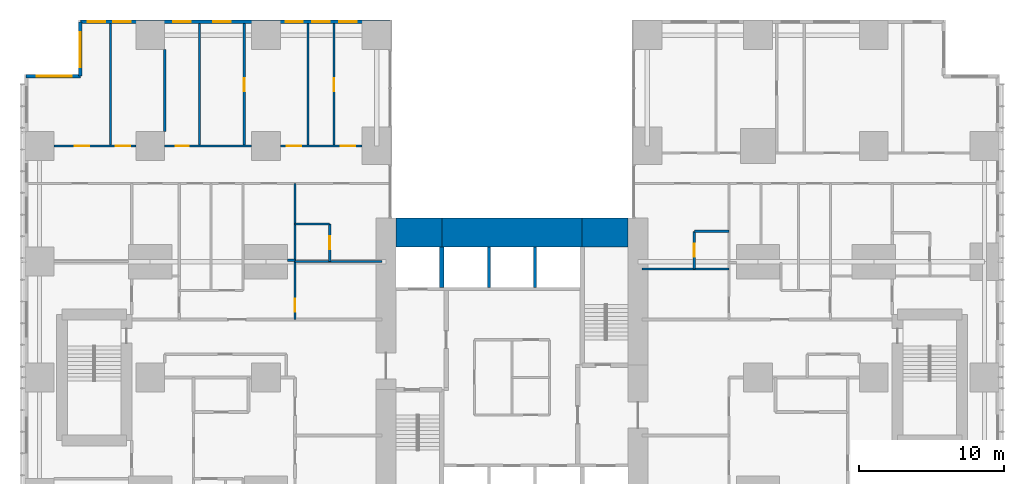
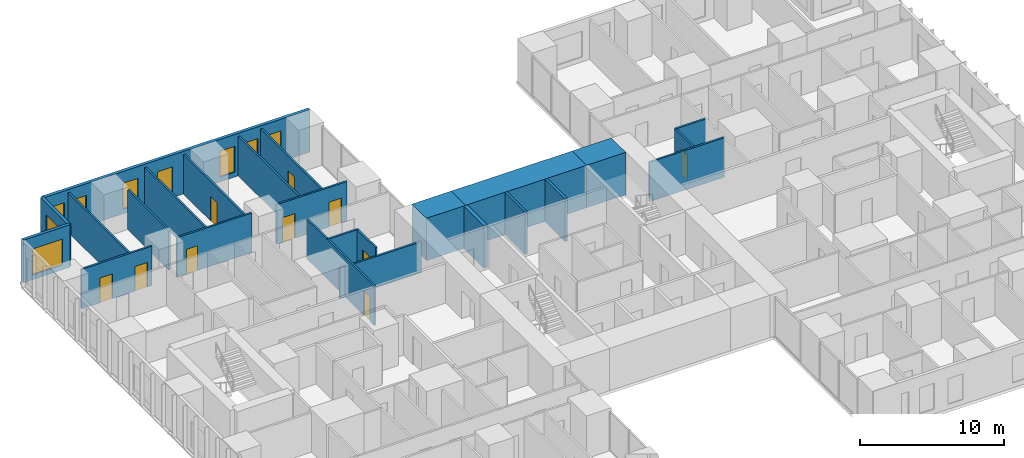
# One storey, part 17 of 20: 26 walls, 10 doors, 9 windows, 19 openings.
"""IFC4 building model written with IfcOpenShell, lengths in metres."""

from ifc_helpers import new_model, si_unit, direction, frame, frame_2d, origin, place, context, subcontext, project, spatial, rectangle, extrude, material, layer, layer_set, type_object, element, fill, save


model = new_model("IFC4")

# Units and contexts
model_context = context("Model", 3, precision=1e-05, world=origin(), true_north=direction((0.0, 1.0)))
body_context = subcontext(model_context, "Body", "Model", "MODEL_VIEW")
ifc_project = project(units=[si_unit("LENGTHUNIT", "METRE"), si_unit("AREAUNIT", "SQUARE_METRE"), si_unit("VOLUMEUNIT", "CUBIC_METRE"), si_unit("PLANEANGLEUNIT", "RADIAN"), si_unit("MASSUNIT", "GRAM", prefix="KILO")], contexts=[model_context])

# Site, building, storey
site_placement = place(None, origin())
site = spatial("IfcSite", under=ifc_project, at=site_placement, CompositionType="ELEMENT")
building_placement = place(site_placement, origin())
building = spatial("IfcBuilding", under=site, at=building_placement, Name="Cleftline Residences", CompositionType="ELEMENT")
storey_placement = place(building_placement, frame((0.0, 0.0, 103.39990234375)))
storey = spatial("IfcBuildingStorey", under=building, at=storey_placement, Name="L26", CompositionType="ELEMENT", Elevation=103.39990234375)

# Walls
ifc_material_1 = material(Name="Concrete B70", Category="concrete")
ifc_layer_1 = layer(ifc_material_1, 2.0)
ifc_layer_set_1 = layer_set([ifc_layer_1], Name="CORE WALL 2000")
wall_type_1 = type_object("IfcWallType", Name="CORE WALL 2000", PredefinedType="SHEAR", material=ifc_layer_set_1)
wall_1_placement = place(storey_placement, frame((25.0, 34.0, 0.0), z_axis=(0.0, 0.0, 1.0), x_axis=(1.0, 0.0, 0.0)))
element("IfcWall", 1, at=wall_1_placement, inside=storey, type_object=wall_type_1, Name="Core wall N1", PredefinedType="SHEAR", context=body_context, shape_type="SweptSolid", body=[
    extrude(rectangle(XDim=3.14990234375, YDim=2.0, at=frame_2d((1.574951171875, 0.0))), origin(), (0.0, 0.0, 1.0), 3.60009765625),
])
wall_2_placement = place(storey_placement, frame((28.14990234375, 34.0, 0.0), z_axis=(0.0, 0.0, 1.0), x_axis=(1.0, 0.0, 0.0)))
element("IfcWall", 2, at=wall_2_placement, inside=storey, type_object=wall_type_1, Name="Core wall N2", PredefinedType="SHEAR", context=body_context, shape_type="SweptSolid", body=[
    extrude(rectangle(XDim=9.7001953125, YDim=2.0, at=frame_2d((4.85009765625, 0.0))), origin(), (0.0, 0.0, 1.0), 3.60009765625),
])
wall_3_placement = place(storey_placement, frame((37.85009765625, 34.0, 0.0), z_axis=(0.0, 0.0, 1.0), x_axis=(1.0, 0.0, 0.0)))
element("IfcWall", 3, at=wall_3_placement, inside=storey, type_object=wall_type_1, Name="Core wall N3", PredefinedType="SHEAR", context=body_context, shape_type="SweptSolid", body=[
    extrude(rectangle(XDim=3.14990234375, YDim=2.0, at=frame_2d((1.574951171875, 0.0))), origin(), (0.0, 0.0, 1.0), 3.60009765625),
])
ifc_material_2 = material(Name="Concrete B70", Category="concrete")
ifc_layer_2 = layer(ifc_material_2, 0.300048828125)
ifc_layer_set_2 = layer_set([ifc_layer_2], Name="CORE WALL 300")
wall_type_2 = type_object("IfcWallType", Name="CORE WALL 300", PredefinedType="SHEAR", material=ifc_layer_set_2)
wall_4_placement = place(storey_placement, frame((28.14990234375, 30.199951171875, 0.0), z_axis=(0.0, 0.0, 1.0), x_axis=(0.0, 1.0, 0.0)))
element("IfcWall", 4, at=wall_4_placement, inside=storey, type_object=wall_type_2, Name="Lift shaft wall", PredefinedType="SHEAR", context=body_context, shape_type="SweptSolid", body=[
    extrude(rectangle(XDim=2.800048828125, YDim=0.300048828125, at=frame_2d((1.39990234375, 0.0))), origin(), (0.0, 0.0, 1.0), 3.60009765625),
])

# Wall, openings, windows
ifc_material_3 = material(Name="Rendered reinforced concrete blockwork", Category="masonry")
ifc_layer_3 = layer(ifc_material_3, 0.25)
ifc_layer_set_3 = layer_set([ifc_layer_3], Name="EXTERNAL WALL 250")
wall_type_3 = type_object("IfcWallType", Name="EXTERNAL WALL 250", PredefinedType="SOLIDWALL", material=ifc_layer_set_3)
wall_5_placement = place(storey_placement, frame((24.574951171875, 48.574951171875, 0.0), z_axis=(0.0, 0.0, 1.0), x_axis=(-1.0, 0.0, 0.0)))
wall_5 = element("IfcWall", 5, at=wall_5_placement, inside=storey, type_object=wall_type_3, Name="External wall", PredefinedType="SOLIDWALL", context=body_context, shape_type="SweptSolid", body=[
    extrude(rectangle(XDim=21.39990234375, YDim=0.25, at=frame_2d((10.699951171875, 0.0))), origin(), (0.0, 0.0, 1.0), 3.60009765625),
])
opening_1_placement = place(wall_5_placement, frame((2.300048828125, 0.0, 0.39990234375)))
opening_1 = element("IfcOpeningElement", 6, at=opening_1_placement, cuts=wall_5, Name="Opening W11", PredefinedType="OPENING", context=body_context, shape_type="SweptSolid", body=[
    extrude(rectangle(XDim=1.199951171875, YDim=2.199951171875, at=frame_2d((0.60009765625, 1.10009765625))), frame((0.0, 0.135009765625, 0.0), z_axis=(0.0, -1.0, 0.0), x_axis=(1.0, 0.0, 0.0)), (0.0, 0.0, 1.0), 0.27001953125),
])
opening_2_placement = place(wall_5_placement, frame((4.175048828125, 0.0, 0.39990234375)))
opening_2 = element("IfcOpeningElement", 7, at=opening_2_placement, cuts=wall_5, Name="Opening W11", PredefinedType="OPENING", context=body_context, shape_type="SweptSolid", body=[
    extrude(rectangle(XDim=1.199951171875, YDim=2.199951171875, at=frame_2d((0.60009765625, 1.10009765625))), frame((0.0, 0.135009765625, 0.0), z_axis=(0.0, -1.0, 0.0), x_axis=(1.0, 0.0, 0.0)), (0.0, 0.0, 1.0), 0.27001953125),
])
opening_3_placement = place(wall_5_placement, frame((6.02490234375, 0.0, 0.39990234375)))
opening_3 = element("IfcOpeningElement", 8, at=opening_3_placement, cuts=wall_5, Name="Opening W11", PredefinedType="OPENING", context=body_context, shape_type="SweptSolid", body=[
    extrude(rectangle(XDim=1.199951171875, YDim=2.199951171875, at=frame_2d((0.60009765625, 1.10009765625))), frame((0.0, 0.135009765625, 0.0), z_axis=(0.0, -1.0, 0.0), x_axis=(1.0, 0.0, 0.0)), (0.0, 0.0, 1.0), 0.27001953125),
])
opening_4_placement = place(wall_5_placement, frame((11.02490234375, 0.0, 0.39990234375)))
opening_4 = element("IfcOpeningElement", 9, at=opening_4_placement, cuts=wall_5, Name="Opening W11", PredefinedType="OPENING", context=body_context, shape_type="SweptSolid", body=[
    extrude(rectangle(XDim=1.199951171875, YDim=2.199951171875, at=frame_2d((0.60009765625, 1.10009765625))), frame((0.0, 0.135009765625, 0.0), z_axis=(0.0, -1.0, 0.0), x_axis=(1.0, 0.0, 0.0)), (0.0, 0.0, 1.0), 0.27001953125),
])
opening_5_placement = place(wall_5_placement, frame((13.77490234375, 0.0, 0.39990234375)))
opening_5 = element("IfcOpeningElement", 10, at=opening_5_placement, cuts=wall_5, Name="Opening W11", PredefinedType="OPENING", context=body_context, shape_type="SweptSolid", body=[
    extrude(rectangle(XDim=1.199951171875, YDim=2.199951171875, at=frame_2d((0.60009765625, 1.10009765625))), frame((0.0, 0.135009765625, 0.0), z_axis=(0.0, -1.0, 0.0), x_axis=(1.0, 0.0, 0.0)), (0.0, 0.0, 1.0), 0.27001953125),
])
opening_6_placement = place(wall_5_placement, frame((17.925048828125, 0.0, 0.39990234375)))
opening_6 = element("IfcOpeningElement", 11, at=opening_6_placement, cuts=wall_5, Name="Opening W11", PredefinedType="OPENING", context=body_context, shape_type="SweptSolid", body=[
    extrude(rectangle(XDim=1.199951171875, YDim=2.199951171875, at=frame_2d((0.60009765625, 1.10009765625))), frame((0.0, 0.135009765625, 0.0), z_axis=(0.0, -1.0, 0.0), x_axis=(1.0, 0.0, 0.0)), (0.0, 0.0, 1.0), 0.27001953125),
])
opening_7_placement = place(wall_5_placement, frame((19.699951171875, 0.0, 0.39990234375)))
opening_7 = element("IfcOpeningElement", 12, at=opening_7_placement, cuts=wall_5, Name="Opening W11", PredefinedType="OPENING", context=body_context, shape_type="SweptSolid", body=[
    extrude(rectangle(XDim=1.199951171875, YDim=2.199951171875, at=frame_2d((0.60009765625, 1.10009765625))), frame((0.0, 0.135009765625, 0.0), z_axis=(0.0, -1.0, 0.0), x_axis=(1.0, 0.0, 0.0)), (0.0, 0.0, 1.0), 0.27001953125),
])
ifc_material_4 = material(Name="Aluminium frame, clear double glazing", Category="aluminium")
window_type_1 = type_object("IfcWindowType", Name="WINDOW 1200X2200", PartitioningType="DOUBLE_PANEL_VERTICAL", PredefinedType="WINDOW", material=ifc_material_4)
window_1_placement = place(opening_1_placement, origin())
window_1 = element("IfcWindow", 13, at=window_1_placement, inside=storey, type_object=window_type_1, Name="Window", OverallHeight=2.199951171875, OverallWidth=1.199951171875, PartitioningType="SINGLE_PANEL", PredefinedType="WINDOW", context=body_context, shape_type="SweptSolid", body=[
    extrude(rectangle(XDim=1.199951171875, YDim=2.199951171875, at=frame_2d((0.60009765625, 1.10009765625))), frame((0.0, 0.030029296875, 0.0), z_axis=(0.0, -1.0, 0.0), x_axis=(1.0, 0.0, 0.0)), (0.0, 0.0, 1.0), 0.06005859375),
])
fill(opening_1, window_1)
window_2_placement = place(opening_2_placement, origin())
window_2 = element("IfcWindow", 14, at=window_2_placement, inside=storey, type_object=window_type_1, Name="Window", OverallHeight=2.199951171875, OverallWidth=1.199951171875, PartitioningType="SINGLE_PANEL", PredefinedType="WINDOW", context=body_context, shape_type="SweptSolid", body=[
    extrude(rectangle(XDim=1.199951171875, YDim=2.199951171875, at=frame_2d((0.60009765625, 1.10009765625))), frame((0.0, 0.030029296875, 0.0), z_axis=(0.0, -1.0, 0.0), x_axis=(1.0, 0.0, 0.0)), (0.0, 0.0, 1.0), 0.06005859375),
])
fill(opening_2, window_2)
window_3_placement = place(opening_3_placement, origin())
window_3 = element("IfcWindow", 15, at=window_3_placement, inside=storey, type_object=window_type_1, Name="Window", OverallHeight=2.199951171875, OverallWidth=1.199951171875, PartitioningType="SINGLE_PANEL", PredefinedType="WINDOW", context=body_context, shape_type="SweptSolid", body=[
    extrude(rectangle(XDim=1.199951171875, YDim=2.199951171875, at=frame_2d((0.60009765625, 1.10009765625))), frame((0.0, 0.030029296875, 0.0), z_axis=(0.0, -1.0, 0.0), x_axis=(1.0, 0.0, 0.0)), (0.0, 0.0, 1.0), 0.06005859375),
])
fill(opening_3, window_3)
window_4_placement = place(opening_4_placement, origin())
window_4 = element("IfcWindow", 16, at=window_4_placement, inside=storey, type_object=window_type_1, Name="Window", OverallHeight=2.199951171875, OverallWidth=1.199951171875, PartitioningType="SINGLE_PANEL", PredefinedType="WINDOW", context=body_context, shape_type="SweptSolid", body=[
    extrude(rectangle(XDim=1.199951171875, YDim=2.199951171875, at=frame_2d((0.60009765625, 1.10009765625))), frame((0.0, 0.030029296875, 0.0), z_axis=(0.0, -1.0, 0.0), x_axis=(1.0, 0.0, 0.0)), (0.0, 0.0, 1.0), 0.06005859375),
])
fill(opening_4, window_4)
window_5_placement = place(opening_5_placement, origin())
window_5 = element("IfcWindow", 17, at=window_5_placement, inside=storey, type_object=window_type_1, Name="Window", OverallHeight=2.199951171875, OverallWidth=1.199951171875, PartitioningType="SINGLE_PANEL", PredefinedType="WINDOW", context=body_context, shape_type="SweptSolid", body=[
    extrude(rectangle(XDim=1.199951171875, YDim=2.199951171875, at=frame_2d((0.60009765625, 1.10009765625))), frame((0.0, 0.030029296875, 0.0), z_axis=(0.0, -1.0, 0.0), x_axis=(1.0, 0.0, 0.0)), (0.0, 0.0, 1.0), 0.06005859375),
])
fill(opening_5, window_5)
window_6_placement = place(opening_6_placement, origin())
window_6 = element("IfcWindow", 18, at=window_6_placement, inside=storey, type_object=window_type_1, Name="Window", OverallHeight=2.199951171875, OverallWidth=1.199951171875, PartitioningType="SINGLE_PANEL", PredefinedType="WINDOW", context=body_context, shape_type="SweptSolid", body=[
    extrude(rectangle(XDim=1.199951171875, YDim=2.199951171875, at=frame_2d((0.60009765625, 1.10009765625))), frame((0.0, 0.030029296875, 0.0), z_axis=(0.0, -1.0, 0.0), x_axis=(1.0, 0.0, 0.0)), (0.0, 0.0, 1.0), 0.06005859375),
])
fill(opening_6, window_6)
window_7_placement = place(opening_7_placement, origin())
window_7 = element("IfcWindow", 19, at=window_7_placement, inside=storey, type_object=window_type_1, Name="Window", OverallHeight=2.199951171875, OverallWidth=1.199951171875, PartitioningType="SINGLE_PANEL", PredefinedType="WINDOW", context=body_context, shape_type="SweptSolid", body=[
    extrude(rectangle(XDim=1.199951171875, YDim=2.199951171875, at=frame_2d((0.60009765625, 1.10009765625))), frame((0.0, 0.030029296875, 0.0), z_axis=(0.0, -1.0, 0.0), x_axis=(1.0, 0.0, 0.0)), (0.0, 0.0, 1.0), 0.06005859375),
])
fill(opening_7, window_7)

# Wall, opening, window
wall_6_placement = place(storey_placement, frame((3.175048828125, 48.574951171875, 0.0), z_axis=(0.0, 0.0, 1.0), x_axis=(0.0, -1.0, 0.0)))
wall_6 = element("IfcWall", 20, at=wall_6_placement, inside=storey, type_object=wall_type_3, Name="External wall", PredefinedType="SOLIDWALL", context=body_context, shape_type="SweptSolid", body=[
    extrude(rectangle(XDim=3.75, YDim=0.25, at=frame_2d((1.875, 0.0))), origin(), (0.0, 0.0, 1.0), 3.60009765625),
])
opening_8_placement = place(wall_6_placement, frame((0.737548828125, 0.0, 0.39990234375)))
opening_8 = element("IfcOpeningElement", 21, at=opening_8_placement, cuts=wall_6, Name="Opening W12", PredefinedType="OPENING", context=body_context, shape_type="SweptSolid", body=[
    extrude(rectangle(XDim=2.39990234375, YDim=2.199951171875, at=frame_2d((1.199951171875, 1.10009765625))), frame((0.0, 0.135009765625, 0.0), z_axis=(0.0, -1.0, 0.0), x_axis=(1.0, 0.0, 0.0)), (0.0, 0.0, 1.0), 0.27001953125),
])
ifc_material_5 = material(Name="Aluminium frame, clear double glazing", Category="aluminium")
window_type_2 = type_object("IfcWindowType", Name="WINDOW 2400X2200", PartitioningType="DOUBLE_PANEL_VERTICAL", PredefinedType="WINDOW", material=ifc_material_5)
window_8_placement = place(opening_8_placement, origin())
window_8 = element("IfcWindow", 22, at=window_8_placement, inside=storey, type_object=window_type_2, Name="Window", OverallHeight=2.199951171875, OverallWidth=2.39990234375, PartitioningType="SINGLE_PANEL", PredefinedType="WINDOW", context=body_context, shape_type="SweptSolid", body=[
    extrude(rectangle(XDim=2.39990234375, YDim=2.199951171875, at=frame_2d((1.199951171875, 1.10009765625))), frame((0.0, 0.030029296875, 0.0), z_axis=(0.0, -1.0, 0.0), x_axis=(1.0, 0.0, 0.0)), (0.0, 0.0, 1.0), 0.06005859375),
])
fill(opening_8, window_8)

wall_7_placement = place(storey_placement, frame((3.175048828125, 44.824951171875, 0.0), z_axis=(0.0, 0.0, 1.0), x_axis=(-1.0, 0.0, 0.0)))
wall_7 = element("IfcWall", 23, at=wall_7_placement, inside=storey, type_object=wall_type_3, Name="External wall", PredefinedType="SOLIDWALL", context=body_context, shape_type="SweptSolid", body=[
    extrude(rectangle(XDim=3.75, YDim=0.25, at=frame_2d((1.875, 0.0))), origin(), (0.0, 0.0, 1.0), 3.60009765625),
])
opening_9_placement = place(wall_7_placement, frame((0.612548828125, 0.0, 0.39990234375)))
opening_9 = element("IfcOpeningElement", 24, at=opening_9_placement, cuts=wall_7, Name="Opening W12", PredefinedType="OPENING", context=body_context, shape_type="SweptSolid", body=[
    extrude(rectangle(XDim=2.39990234375, YDim=2.199951171875, at=frame_2d((1.199951171875, 1.10009765625))), frame((0.0, 0.135009765625, 0.0), z_axis=(0.0, -1.0, 0.0), x_axis=(1.0, 0.0, 0.0)), (0.0, 0.0, 1.0), 0.27001953125),
])
window_9_placement = place(opening_9_placement, origin())
window_9 = element("IfcWindow", 25, at=window_9_placement, inside=storey, type_object=window_type_2, Name="Window", OverallHeight=2.199951171875, OverallWidth=2.39990234375, PartitioningType="SINGLE_PANEL", PredefinedType="WINDOW", context=body_context, shape_type="SweptSolid", body=[
    extrude(rectangle(XDim=2.39990234375, YDim=2.199951171875, at=frame_2d((1.199951171875, 1.10009765625))), frame((0.0, 0.030029296875, 0.0), z_axis=(0.0, -1.0, 0.0), x_axis=(1.0, 0.0, 0.0)), (0.0, 0.0, 1.0), 0.06005859375),
])
fill(opening_9, window_9)

# Walls
ifc_material_6 = material(Name="Gypsum board on steel studs", Category="steel")
ifc_layer_4 = layer(ifc_material_6, 0.14990234375)
ifc_layer_set_4 = layer_set([ifc_layer_4], Name="PARTITION 150")
wall_type_4 = type_object("IfcWallType", Name="PARTITION 150", PredefinedType="PARTITIONING", material=ifc_layer_set_4)
wall_8_placement = place(storey_placement, frame((42.0, 31.5, 0.0), z_axis=(0.0, 0.0, 1.0), x_axis=(1.0, 0.0, 0.0)))
element("IfcWall", 26, at=wall_8_placement, inside=storey, type_object=wall_type_4, Name="Partition", PredefinedType="PARTITIONING", context=body_context, shape_type="SweptSolid", body=[
    extrude(rectangle(XDim=6.0, YDim=0.14990234375, at=frame_2d((3.0, 0.0))), origin(), (0.0, 0.0, 1.0), 3.35009765625),
])
wall_9_placement = place(storey_placement, frame((18.0, 32.0, 0.0), z_axis=(0.0, 0.0, 1.0), x_axis=(1.0, 0.0, 0.0)))
element("IfcWall", 27, at=wall_9_placement, inside=storey, type_object=wall_type_4, Name="Partition", PredefinedType="PARTITIONING", context=body_context, shape_type="SweptSolid", body=[
    extrude(rectangle(XDim=6.0, YDim=0.14990234375, at=frame_2d((3.0, 0.0))), origin(), (0.0, 0.0, 1.0), 2.634033203125),
])
wall_10_placement = place(storey_placement, frame((17.5, 32.10009765625, 0.0), z_axis=(0.0, 0.0, 1.0), x_axis=(1.0, 0.0, 0.0)))
element("IfcWall", 28, at=wall_10_placement, inside=storey, type_object=wall_type_4, Name="Partition", PredefinedType="PARTITIONING", context=body_context, shape_type="SweptSolid", body=[
    extrude(rectangle(XDim=0.5, YDim=0.14990234375, at=frame_2d((0.25, 0.0))), origin(), (0.0, 0.0, 1.0), 2.634033203125),
])
for number, where, z_axis, x_axis, name in (
    (29, (45.60009765625, 34.10009765625, 0.0), (0.0, 0.0, 1.0), (1.0, 0.0, 0.0), "Partition"),
    (30, (18.0, 34.60009765625, 0.0), (0.0, 0.0, 1.0), (1.0, 0.0, 0.0), "Partition"),
):
    element("IfcWall", number, at=place(storey_placement, frame(where, z_axis=z_axis, x_axis=x_axis)), inside=storey, type_object=wall_type_4, Name=name, PredefinedType="PARTITIONING", context=body_context, shape_type="SweptSolid", body=[
        extrude(rectangle(XDim=2.39990234375, YDim=0.14990234375, at=frame_2d((1.199951171875, 0.0))), origin(), (0.0, 0.0, 1.0), 3.35009765625),
    ])

# Wall, openings, doors
wall_11_placement = place(storey_placement, frame((1.35009765625, 40.0, 0.0), z_axis=(0.0, 0.0, 1.0), x_axis=(1.0, 0.0, 0.0)))
wall_11 = element("IfcWall", 31, at=wall_11_placement, inside=storey, type_object=wall_type_4, Name="Partition", PredefinedType="PARTITIONING", context=body_context, shape_type="SweptSolid", body=[
    extrude(rectangle(XDim=5.64990234375, YDim=0.14990234375, at=frame_2d((2.824951171875, 0.0))), origin(), (0.0, 0.0, 1.0), 3.35009765625),
])
opening_10_placement = place(wall_11_placement, frame((1.449951171875, 0.0, 0.0)))
opening_10 = element("IfcOpeningElement", 32, at=opening_10_placement, cuts=wall_11, Name="Opening D2", PredefinedType="OPENING", context=body_context, shape_type="SweptSolid", body=[
    extrude(rectangle(XDim=1.0, YDim=2.10009765625, at=frame_2d((0.5, 1.050048828125))), frame((0.0, 0.0849609375, 0.0), z_axis=(0.0, -1.0, 0.0), x_axis=(1.0, 0.0, 0.0)), (0.0, 0.0, 1.0), 0.169921875),
])
opening_11_placement = place(wall_11_placement, frame((4.27490234375, 0.0, 0.0)))
opening_11 = element("IfcOpeningElement", 33, at=opening_11_placement, cuts=wall_11, Name="Opening D2", PredefinedType="OPENING", context=body_context, shape_type="SweptSolid", body=[
    extrude(rectangle(XDim=1.0, YDim=2.10009765625, at=frame_2d((0.5, 1.050048828125))), frame((0.0, 0.0849609375, 0.0), z_axis=(0.0, -1.0, 0.0), x_axis=(1.0, 0.0, 0.0)), (0.0, 0.0, 1.0), 0.169921875),
])
ifc_material_7 = material(Name="Timber veneer on solid core", Category="wood")
door_type_1 = type_object("IfcDoorType", Name="DOOR 1000X2100", OperationType="SINGLE_SWING_LEFT", PredefinedType="DOOR", material=ifc_material_7)
door_1_placement = place(opening_10_placement, origin())
door_1 = element("IfcDoor", 34, at=door_1_placement, inside=storey, type_object=door_type_1, Name="Door to master bedroom", OperationType="SINGLE_SWING_RIGHT", OverallHeight=2.10009765625, OverallWidth=1.0, PredefinedType="DOOR", context=body_context, shape_type="SweptSolid", body=[
    extrude(rectangle(XDim=1.0, YDim=2.10009765625, at=frame_2d((0.5, 1.050048828125))), frame((0.0, 0.02490234375, 0.0), z_axis=(0.0, -1.0, 0.0), x_axis=(1.0, 0.0, 0.0)), (0.0, 0.0, 1.0), 0.050048828125),
])
fill(opening_10, door_1)
door_2_placement = place(opening_11_placement, origin())
door_2 = element("IfcDoor", 35, at=door_2_placement, inside=storey, type_object=door_type_1, Name="Door to master sitting room", OperationType="SINGLE_SWING_LEFT", OverallHeight=2.10009765625, OverallWidth=1.0, PredefinedType="DOOR", context=body_context, shape_type="SweptSolid", body=[
    extrude(rectangle(XDim=1.0, YDim=2.10009765625, at=frame_2d((0.5, 1.050048828125))), frame((0.0, 0.02490234375, 0.0), z_axis=(0.0, -1.0, 0.0), x_axis=(1.0, 0.0, 0.0)), (0.0, 0.0, 1.0), 0.050048828125),
])
fill(opening_11, door_2)

# Wall, opening, door
wall_12_placement = place(storey_placement, frame((9.0, 40.0, 0.0), z_axis=(0.0, 0.0, 1.0), x_axis=(1.0, 0.0, 0.0)))
wall_12 = element("IfcWall", 36, at=wall_12_placement, inside=storey, type_object=wall_type_4, Name="Partition", PredefinedType="PARTITIONING", context=body_context, shape_type="SweptSolid", body=[
    extrude(rectangle(XDim=6.0, YDim=0.14990234375, at=frame_2d((3.0, 0.0))), origin(), (0.0, 0.0, 1.0), 3.35009765625),
])
opening_12_placement = place(wall_12_placement, frame((0.75, 0.0, 0.0)))
opening_12 = element("IfcOpeningElement", 37, at=opening_12_placement, cuts=wall_12, Name="Opening D1", PredefinedType="OPENING", context=body_context, shape_type="SweptSolid", body=[
    extrude(rectangle(XDim=0.89990234375, YDim=2.10009765625, at=frame_2d((0.449951171875, 1.050048828125))), frame((0.0, 0.0849609375, 0.0), z_axis=(0.0, -1.0, 0.0), x_axis=(1.0, 0.0, 0.0)), (0.0, 0.0, 1.0), 0.169921875),
])
ifc_material_8 = material(Name="Timber veneer on solid core", Category="wood")
door_type_2 = type_object("IfcDoorType", Name="DOOR 900X2100", OperationType="SINGLE_SWING_LEFT", PredefinedType="DOOR", material=ifc_material_8)
door_3_placement = place(opening_12_placement, origin())
door_3 = element("IfcDoor", 38, at=door_3_placement, inside=storey, type_object=door_type_2, Name="Door to master dressing room", OperationType="SINGLE_SWING_RIGHT", OverallHeight=2.10009765625, OverallWidth=0.89990234375, PredefinedType="DOOR", context=body_context, shape_type="SweptSolid", body=[
    extrude(rectangle(XDim=0.89990234375, YDim=2.10009765625, at=frame_2d((0.449951171875, 1.050048828125))), frame((0.0, 0.02490234375, 0.0), z_axis=(0.0, -1.0, 0.0), x_axis=(1.0, 0.0, 0.0)), (0.0, 0.0, 1.0), 0.050048828125),
])
fill(opening_12, door_3)

# Wall, openings, doors
wall_13_placement = place(storey_placement, frame((17.0, 40.0, 0.0), z_axis=(0.0, 0.0, 1.0), x_axis=(1.0, 0.0, 0.0)))
wall_13 = element("IfcWall", 39, at=wall_13_placement, inside=storey, type_object=wall_type_4, Name="Partition", PredefinedType="PARTITIONING", context=body_context, shape_type="SweptSolid", body=[
    extrude(rectangle(XDim=5.64990234375, YDim=0.14990234375, at=frame_2d((2.824951171875, 0.0))), origin(), (0.0, 0.0, 1.0), 3.35009765625),
])
opening_13_placement = place(wall_13_placement, frame((0.449951171875, 0.0, 0.0)))
opening_13 = element("IfcOpeningElement", 40, at=opening_13_placement, cuts=wall_13, Name="Opening D2", PredefinedType="OPENING", context=body_context, shape_type="SweptSolid", body=[
    extrude(rectangle(XDim=1.0, YDim=2.10009765625, at=frame_2d((0.5, 1.050048828125))), frame((0.0, 0.0849609375, 0.0), z_axis=(0.0, -1.0, 0.0), x_axis=(1.0, 0.0, 0.0)), (0.0, 0.0, 1.0), 0.169921875),
])
opening_14_placement = place(wall_13_placement, frame((4.175048828125, 0.0, 0.0)))
opening_14 = element("IfcOpeningElement", 41, at=opening_14_placement, cuts=wall_13, Name="Opening D2", PredefinedType="OPENING", context=body_context, shape_type="SweptSolid", body=[
    extrude(rectangle(XDim=1.0, YDim=2.10009765625, at=frame_2d((0.5, 1.050048828125))), frame((0.0, 0.0849609375, 0.0), z_axis=(0.0, -1.0, 0.0), x_axis=(1.0, 0.0, 0.0)), (0.0, 0.0, 1.0), 0.169921875),
])
door_4_placement = place(opening_13_placement, origin())
door_4 = element("IfcDoor", 42, at=door_4_placement, inside=storey, type_object=door_type_1, Name="Door to bedroom 2", OperationType="SINGLE_SWING_RIGHT", OverallHeight=2.10009765625, OverallWidth=1.0, PredefinedType="DOOR", context=body_context, shape_type="SweptSolid", body=[
    extrude(rectangle(XDim=1.0, YDim=2.10009765625, at=frame_2d((0.5, 1.050048828125))), frame((0.0, 0.02490234375, 0.0), z_axis=(0.0, -1.0, 0.0), x_axis=(1.0, 0.0, 0.0)), (0.0, 0.0, 1.0), 0.050048828125),
])
fill(opening_13, door_4)
door_5_placement = place(opening_14_placement, origin())
door_5 = element("IfcDoor", 43, at=door_5_placement, inside=storey, type_object=door_type_1, Name="Door to bedroom 3", OperationType="SINGLE_SWING_LEFT", OverallHeight=2.10009765625, OverallWidth=1.0, PredefinedType="DOOR", context=body_context, shape_type="SweptSolid", body=[
    extrude(rectangle(XDim=1.0, YDim=2.10009765625, at=frame_2d((0.5, 1.050048828125))), frame((0.0, 0.02490234375, 0.0), z_axis=(0.0, -1.0, 0.0), x_axis=(1.0, 0.0, 0.0)), (0.0, 0.0, 1.0), 0.050048828125),
])
fill(opening_14, door_5)

# Walls
wall_14_placement = place(storey_placement, frame((5.25, 40.0, 0.0), z_axis=(0.0, 0.0, 1.0), x_axis=(0.0, 1.0, 0.0)))
element("IfcWall", 44, at=wall_14_placement, inside=storey, type_object=wall_type_4, Name="Partition", PredefinedType="PARTITIONING", context=body_context, shape_type="SweptSolid", body=[
    extrude(rectangle(XDim=8.449951171875, YDim=0.14990234375, at=frame_2d((4.22509765625, 0.0))), origin(), (0.0, 0.0, 1.0), 3.35009765625),
])
wall_15_placement = place(storey_placement, frame((9.0, 41.0, 0.0), z_axis=(0.0, 0.0, 1.0), x_axis=(0.0, 1.0, 0.0)))
element("IfcWall", 45, at=wall_15_placement, inside=storey, type_object=wall_type_4, Name="Partition", PredefinedType="PARTITIONING", context=body_context, shape_type="SweptSolid", body=[
    extrude(rectangle(XDim=5.64990234375, YDim=0.14990234375, at=frame_2d((2.824951171875, 0.0))), origin(), (0.0, 0.0, 1.0), 3.35009765625),
])
wall_16_placement = place(storey_placement, frame((11.39990234375, 40.0, 0.0), z_axis=(0.0, 0.0, 1.0), x_axis=(0.0, 1.0, 0.0)))
element("IfcWall", 46, at=wall_16_placement, inside=storey, type_object=wall_type_4, Name="Partition", PredefinedType="PARTITIONING", context=body_context, shape_type="SweptSolid", body=[
    extrude(rectangle(XDim=8.449951171875, YDim=0.14990234375, at=frame_2d((4.22509765625, 0.0))), origin(), (0.0, 0.0, 1.0), 3.35009765625),
])

# Wall, opening, door
wall_17_placement = place(storey_placement, frame((14.5, 40.0, 0.0), z_axis=(0.0, 0.0, 1.0), x_axis=(0.0, 1.0, 0.0)))
wall_17 = element("IfcWall", 47, at=wall_17_placement, inside=storey, type_object=wall_type_4, Name="Partition", PredefinedType="PARTITIONING", context=body_context, shape_type="SweptSolid", body=[
    extrude(rectangle(XDim=8.449951171875, YDim=0.14990234375, at=frame_2d((4.22509765625, 0.0))), origin(), (0.0, 0.0, 1.0), 3.35009765625),
])
opening_15_placement = place(wall_17_placement, frame((3.77490234375, 0.0, 0.0)))
opening_15 = element("IfcOpeningElement", 48, at=opening_15_placement, cuts=wall_17, Name="Opening D1", PredefinedType="OPENING", context=body_context, shape_type="SweptSolid", body=[
    extrude(rectangle(XDim=0.89990234375, YDim=2.10009765625, at=frame_2d((0.449951171875, 1.050048828125))), frame((0.0, 0.0849609375, 0.0), z_axis=(0.0, -1.0, 0.0), x_axis=(1.0, 0.0, 0.0)), (0.0, 0.0, 1.0), 0.169921875),
])
door_6_placement = place(opening_15_placement, origin())
door_6 = element("IfcDoor", 49, at=door_6_placement, inside=storey, type_object=door_type_2, Name="Door to en-suite bathroom 2", OperationType="SINGLE_SWING_LEFT", OverallHeight=2.10009765625, OverallWidth=0.89990234375, PredefinedType="DOOR", context=body_context, shape_type="SweptSolid", body=[
    extrude(rectangle(XDim=0.89990234375, YDim=2.10009765625, at=frame_2d((0.449951171875, 1.050048828125))), frame((0.0, 0.02490234375, 0.0), z_axis=(0.0, -1.0, 0.0), x_axis=(1.0, 0.0, 0.0)), (0.0, 0.0, 1.0), 0.050048828125),
])
fill(opening_15, door_6)

wall_18_placement = place(storey_placement, frame((18.0, 28.0, 0.0), z_axis=(0.0, 0.0, 1.0), x_axis=(0.0, 1.0, 0.0)))
wall_18 = element("IfcWall", 50, at=wall_18_placement, inside=storey, type_object=wall_type_4, Name="Partition", PredefinedType="PARTITIONING", context=body_context, shape_type="SweptSolid", body=[
    extrude(rectangle(XDim=9.39990234375, YDim=0.14990234375, at=frame_2d((4.699951171875, 0.0))), origin(), (0.0, 0.0, 1.0), 3.35009765625),
])
opening_16_placement = place(wall_18_placement, frame((0.550048828125, 0.0, 0.0)))
opening_16 = element("IfcOpeningElement", 51, at=opening_16_placement, cuts=wall_18, Name="Opening D1", PredefinedType="OPENING", context=body_context, shape_type="SweptSolid", body=[
    extrude(rectangle(XDim=0.89990234375, YDim=2.10009765625, at=frame_2d((0.449951171875, 1.050048828125))), frame((0.0, 0.0849609375, 0.0), z_axis=(0.0, -1.0, 0.0), x_axis=(1.0, 0.0, 0.0)), (0.0, 0.0, 1.0), 0.169921875),
])
door_7_placement = place(opening_16_placement, origin())
door_7 = element("IfcDoor", 52, at=door_7_placement, inside=storey, type_object=door_type_2, Name="Door to staff shower room", OperationType="SINGLE_SWING_RIGHT", OverallHeight=2.10009765625, OverallWidth=0.89990234375, PredefinedType="DOOR", context=body_context, shape_type="SweptSolid", body=[
    extrude(rectangle(XDim=0.89990234375, YDim=2.10009765625, at=frame_2d((0.449951171875, 1.050048828125))), frame((0.0, 0.02490234375, 0.0), z_axis=(0.0, -1.0, 0.0), x_axis=(1.0, 0.0, 0.0)), (0.0, 0.0, 1.0), 0.050048828125),
])
fill(opening_16, door_7)

# Wall
wall_19_placement = place(storey_placement, frame((18.89990234375, 40.0, 0.0), z_axis=(0.0, 0.0, 1.0), x_axis=(0.0, 1.0, 0.0)))
element("IfcWall", 53, at=wall_19_placement, inside=storey, type_object=wall_type_4, Name="Partition", PredefinedType="PARTITIONING", context=body_context, shape_type="SweptSolid", body=[
    extrude(rectangle(XDim=8.449951171875, YDim=0.14990234375, at=frame_2d((4.22509765625, 0.0))), origin(), (0.0, 0.0, 1.0), 3.35009765625),
])

# Wall, opening, door
wall_20_placement = place(storey_placement, frame((20.39990234375, 32.0, 0.0), z_axis=(0.0, 0.0, 1.0), x_axis=(0.0, 1.0, 0.0)))
wall_20 = element("IfcWall", 54, at=wall_20_placement, inside=storey, type_object=wall_type_4, Name="Partition", PredefinedType="PARTITIONING", context=body_context, shape_type="SweptSolid", body=[
    extrude(rectangle(XDim=2.60009765625, YDim=0.14990234375, at=frame_2d((1.300048828125, 0.0))), origin(), (0.0, 0.0, 1.0), 3.35009765625),
])
opening_17_placement = place(wall_20_placement, frame((0.85009765625, 0.0, 0.0)))
opening_17 = element("IfcOpeningElement", 55, at=opening_17_placement, cuts=wall_20, Name="Opening D1", PredefinedType="OPENING", context=body_context, shape_type="SweptSolid", body=[
    extrude(rectangle(XDim=0.89990234375, YDim=2.10009765625, at=frame_2d((0.449951171875, 1.050048828125))), frame((0.0, 0.0849609375, 0.0), z_axis=(0.0, -1.0, 0.0), x_axis=(1.0, 0.0, 0.0)), (0.0, 0.0, 1.0), 0.169921875),
])
door_8_placement = place(opening_17_placement, origin())
door_8 = element("IfcDoor", 56, at=door_8_placement, inside=storey, type_object=door_type_2, Name="Door to en-suite bathroom 4", OperationType="SINGLE_SWING_LEFT", OverallHeight=2.10009765625, OverallWidth=0.89990234375, PredefinedType="DOOR", context=body_context, shape_type="SweptSolid", body=[
    extrude(rectangle(XDim=0.89990234375, YDim=2.10009765625, at=frame_2d((0.449951171875, 1.050048828125))), frame((0.0, 0.02490234375, 0.0), z_axis=(0.0, -1.0, 0.0), x_axis=(1.0, 0.0, 0.0)), (0.0, 0.0, 1.0), 0.050048828125),
])
fill(opening_17, door_8)

wall_21_placement = place(storey_placement, frame((20.699951171875, 40.0, 0.0), z_axis=(0.0, 0.0, 1.0), x_axis=(0.0, 1.0, 0.0)))
wall_21 = element("IfcWall", 57, at=wall_21_placement, inside=storey, type_object=wall_type_4, Name="Partition", PredefinedType="PARTITIONING", context=body_context, shape_type="SweptSolid", body=[
    extrude(rectangle(XDim=8.449951171875, YDim=0.14990234375, at=frame_2d((4.22509765625, 0.0))), origin(), (0.0, 0.0, 1.0), 3.35009765625),
])
opening_18_placement = place(wall_21_placement, frame((3.77490234375, 0.0, 0.0)))
opening_18 = element("IfcOpeningElement", 58, at=opening_18_placement, cuts=wall_21, Name="Opening D1", PredefinedType="OPENING", context=body_context, shape_type="SweptSolid", body=[
    extrude(rectangle(XDim=0.89990234375, YDim=2.10009765625, at=frame_2d((0.449951171875, 1.050048828125))), frame((0.0, 0.0849609375, 0.0), z_axis=(0.0, -1.0, 0.0), x_axis=(1.0, 0.0, 0.0)), (0.0, 0.0, 1.0), 0.169921875),
])
door_9_placement = place(opening_18_placement, origin())
door_9 = element("IfcDoor", 59, at=door_9_placement, inside=storey, type_object=door_type_2, Name="Door to en-suite bathroom 3", OperationType="SINGLE_SWING_LEFT", OverallHeight=2.10009765625, OverallWidth=0.89990234375, PredefinedType="DOOR", context=body_context, shape_type="SweptSolid", body=[
    extrude(rectangle(XDim=0.89990234375, YDim=2.10009765625, at=frame_2d((0.449951171875, 1.050048828125))), frame((0.0, 0.02490234375, 0.0), z_axis=(0.0, -1.0, 0.0), x_axis=(1.0, 0.0, 0.0)), (0.0, 0.0, 1.0), 0.050048828125),
])
fill(opening_18, door_9)

wall_22_placement = place(storey_placement, frame((45.60009765625, 31.5, 0.0), z_axis=(0.0, 0.0, 1.0), x_axis=(0.0, 1.0, 0.0)))
wall_22 = element("IfcWall", 60, at=wall_22_placement, inside=storey, type_object=wall_type_4, Name="Partition", PredefinedType="PARTITIONING", context=body_context, shape_type="SweptSolid", body=[
    extrude(rectangle(XDim=2.60009765625, YDim=0.14990234375, at=frame_2d((1.300048828125, 0.0))), origin(), (0.0, 0.0, 1.0), 3.35009765625),
])
opening_19_placement = place(wall_22_placement, frame((0.85009765625, 0.0, 0.0)))
opening_19 = element("IfcOpeningElement", 61, at=opening_19_placement, cuts=wall_22, Name="Opening D1", PredefinedType="OPENING", context=body_context, shape_type="SweptSolid", body=[
    extrude(rectangle(XDim=0.89990234375, YDim=2.10009765625, at=frame_2d((0.449951171875, 1.050048828125))), frame((0.0, 0.0849609375, 0.0), z_axis=(0.0, -1.0, 0.0), x_axis=(1.0, 0.0, 0.0)), (0.0, 0.0, 1.0), 0.169921875),
])
door_10_placement = place(opening_19_placement, origin())
door_10 = element("IfcDoor", 62, at=door_10_placement, inside=storey, type_object=door_type_2, Name="Door to en-suite bathroom 3", OperationType="SINGLE_SWING_LEFT", OverallHeight=2.10009765625, OverallWidth=0.89990234375, PredefinedType="DOOR", context=body_context, shape_type="SweptSolid", body=[
    extrude(rectangle(XDim=0.89990234375, YDim=2.10009765625, at=frame_2d((0.449951171875, 1.050048828125))), frame((0.0, 0.02490234375, 0.0), z_axis=(0.0, -1.0, 0.0), x_axis=(1.0, 0.0, 0.0)), (0.0, 0.0, 1.0), 0.050048828125),
])
fill(opening_19, door_10)

# Walls
ifc_material_9 = material(Name="Concrete blockwork, fire rated", Category="masonry")
ifc_layer_5 = layer(ifc_material_9, 0.199951171875)
ifc_layer_set_5 = layer_set([ifc_layer_5], Name="SHAFT WALL 200")
wall_type_5 = type_object("IfcWallType", Name="SHAFT WALL 200", PredefinedType="PARTITIONING", material=ifc_layer_set_5)
for number, where, z_axis, x_axis, name in (
    (63, (31.39990234375, 30.199951171875, 0.0), (0.0, 0.0, 1.0), (0.0, 1.0, 0.0), "Lift shaft wall"),
    (64, (34.60009765625, 30.199951171875, 0.0), (0.0, 0.0, 1.0), (0.0, 1.0, 0.0), "Lift shaft wall"),
):
    element("IfcWall", number, at=place(storey_placement, frame(where, z_axis=z_axis, x_axis=x_axis)), inside=storey, type_object=wall_type_5, Name=name, PredefinedType="PARTITIONING", context=body_context, shape_type="SweptSolid", body=[
        extrude(rectangle(XDim=2.800048828125, YDim=0.199951171875, at=frame_2d((1.39990234375, 0.0))), origin(), (0.0, 0.0, 1.0), 3.60009765625),
    ])

save(model, "model.ifc")
